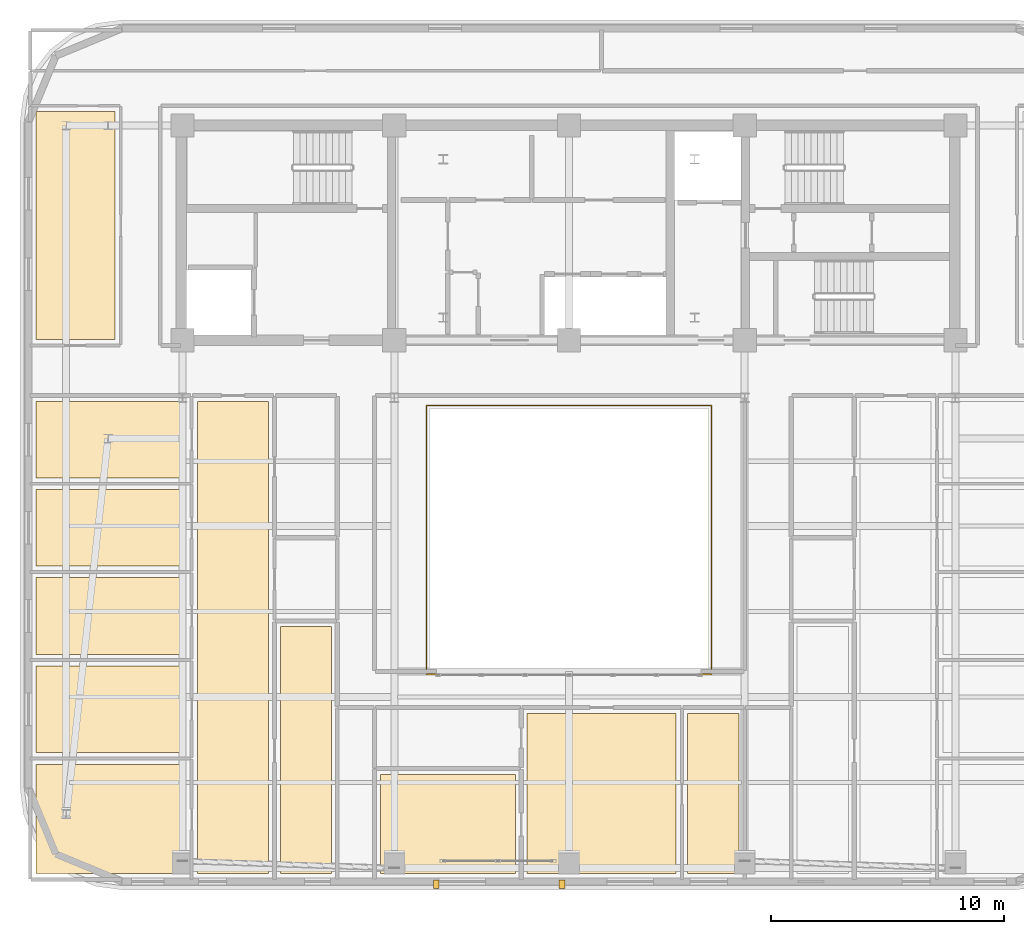
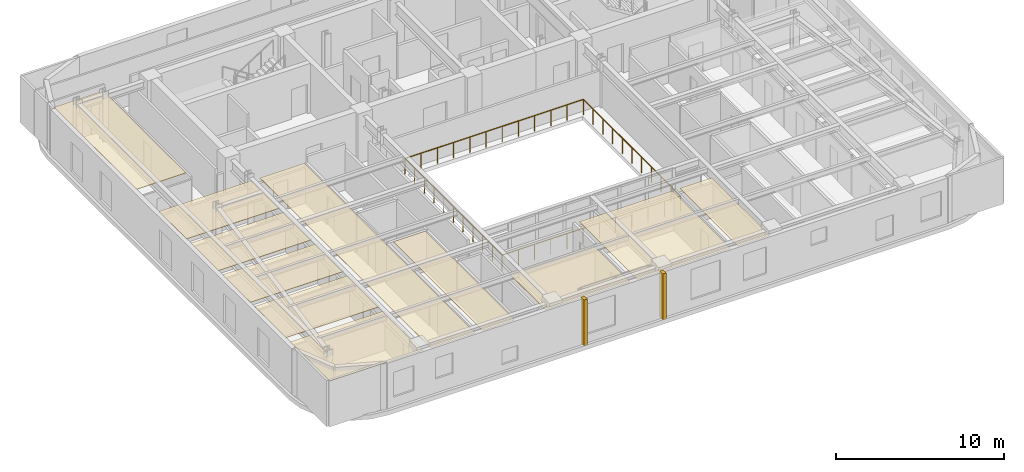
# One storey, part 11 of 14: 13 coverings, 1 railing.
"""IFC4 building model written with IfcOpenShell, lengths in metres."""

from ifc_helpers import new_model, si_unit, direction, frame, origin, origin_2d, place, context, subcontext, project, spatial, polyline, rectangle, outline, extrude, material, layer, layer_set, type_object, element, save


model = new_model("IFC4")

# Units and contexts
model_context = context("Model", 3, precision=1e-05, world=origin(), true_north=direction((0.0, 1.0)))
body_context = subcontext(model_context, "Body", "Model", "MODEL_VIEW")
ifc_project = project(units=[si_unit("LENGTHUNIT", "METRE"), si_unit("AREAUNIT", "SQUARE_METRE"), si_unit("VOLUMEUNIT", "CUBIC_METRE"), si_unit("PLANEANGLEUNIT", "RADIAN"), si_unit("MASSUNIT", "GRAM", prefix="KILO")], contexts=[model_context])

# Site, building, storey
site_placement = place(None, origin())
site = spatial("IfcSite", under=ifc_project, at=site_placement, CompositionType="ELEMENT")
building_placement = place(site_placement, origin())
building = spatial("IfcBuilding", under=site, at=building_placement, Name="Zarnavel Station Tower", CompositionType="ELEMENT")
storey_placement = place(building_placement, frame((0.0, 0.0, 229.199951171875)))
storey = spatial("IfcBuildingStorey", under=building, at=storey_placement, Name="L62", CompositionType="ELEMENT", Elevation=229.199951171875)

# Coverings
ifc_material_1 = material(Name="Perforated Gypsum and Mineral-Wool Acoustic Ceiling", Category="concrete")
ifc_layer = layer(ifc_material_1, 0.0400390625)
ifc_layer_set = layer_set([ifc_layer], Name="COV_CEIL_ACOUSTIC")
covering_type_1 = type_object("IfcCoveringType", Name="COV_CEIL_ACOUSTIC", PredefinedType="CEILING", material=ifc_layer_set)
covering_1_placement = place(storey_placement, frame((0.0, 0.0, 3.02001953125)))
element("IfcCovering", 1, at=covering_1_placement, inside=storey, type_object=covering_type_1, Name="L62 FNW Acoustic Ceiling", PredefinedType="CEILING", context=body_context, shape_type="SweptSolid", body=[
    extrude(outline(polyline([(5.909912109375, 27.85009765625), (9.300048828125, 27.85009765625), (9.300048828125, 37.64990234375), (5.909912109375, 37.64990234375), (5.909912109375, 27.85009765625)])), origin(), (0.0, 0.0, 1.0), 0.0400390625),
])
covering_2_placement = place(storey_placement, frame((0.0, 0.0, 3.02001953125)))
element("IfcCovering", 2, at=covering_2_placement, inside=storey, type_object=covering_type_1, Name="L62 UW1LV Acoustic Ceiling", PredefinedType="CEILING", context=body_context, shape_type="SweptSolid", body=[
    extrude(outline(polyline([(12.841064453125, 4.909912109375), (15.89990234375, 4.909912109375), (15.89990234375, 25.199951171875), (12.841064453125, 25.199951171875), (12.841064453125, 4.909912109375)])), origin(), (0.0, 0.0, 1.0), 0.0400390625),
])
covering_3_placement = place(storey_placement, frame((0.0, 0.0, 3.02001953125)))
element("IfcCovering", 3, at=covering_3_placement, inside=storey, type_object=covering_type_1, Name="L62 UW1KT Acoustic Ceiling", PredefinedType="CEILING", context=body_context, shape_type="SweptSolid", body=[
    extrude(outline(polyline([(16.39990234375, 4.909912109375), (18.60009765625, 4.909912109375), (18.60009765625, 15.52099609375), (16.39990234375, 15.52099609375), (16.39990234375, 4.909912109375)])), origin(), (0.0, 0.0, 1.0), 0.0400390625),
])
covering_4_placement = place(storey_placement, frame((0.0, 0.0, 3.02001953125)))
element("IfcCovering", 4, at=covering_4_placement, inside=storey, type_object=covering_type_1, Name="L62 UW1B1 Acoustic Ceiling", PredefinedType="CEILING", context=body_context, shape_type="SweptSolid", body=[
    extrude(outline(polyline([(5.909912109375, 4.909912109375), (12.341064453125, 4.909912109375), (12.341064453125, 9.60693359375), (5.909912109375, 9.60693359375), (5.909912109375, 4.909912109375)])), origin(), (0.0, 0.0, 1.0), 0.0400390625),
])
covering_5_placement = place(storey_placement, frame((0.0, 0.0, 3.02001953125)))
element("IfcCovering", 5, at=covering_5_placement, inside=storey, type_object=covering_type_1, Name="L62 UW1B2 Acoustic Ceiling", PredefinedType="CEILING", context=body_context, shape_type="SweptSolid", body=[
    extrude(outline(polyline([(5.909912109375, 10.10693359375), (12.341064453125, 10.10693359375), (12.341064453125, 13.8349609375), (5.909912109375, 13.8349609375), (5.909912109375, 10.10693359375)])), origin(), (0.0, 0.0, 1.0), 0.0400390625),
])
covering_6_placement = place(storey_placement, frame((0.0, 0.0, 3.02001953125)))
element("IfcCovering", 6, at=covering_6_placement, inside=storey, type_object=covering_type_1, Name="L62 UW1B3 Acoustic Ceiling", PredefinedType="CEILING", context=body_context, shape_type="SweptSolid", body=[
    extrude(outline(polyline([(5.909912109375, 14.3349609375), (12.341064453125, 14.3349609375), (12.341064453125, 17.623046875), (5.909912109375, 17.623046875), (5.909912109375, 14.3349609375)])), origin(), (0.0, 0.0, 1.0), 0.0400390625),
])
covering_7_placement = place(storey_placement, frame((0.0, 0.0, 3.02001953125)))
element("IfcCovering", 7, at=covering_7_placement, inside=storey, type_object=covering_type_1, Name="L62 UW1B4 Acoustic Ceiling", PredefinedType="CEILING", context=body_context, shape_type="SweptSolid", body=[
    extrude(outline(polyline([(5.909912109375, 18.123046875), (12.341064453125, 18.123046875), (12.341064453125, 21.410888671875), (5.909912109375, 21.410888671875), (5.909912109375, 18.123046875)])), origin(), (0.0, 0.0, 1.0), 0.0400390625),
])
covering_8_placement = place(storey_placement, frame((0.0, 0.0, 3.02001953125)))
element("IfcCovering", 8, at=covering_8_placement, inside=storey, type_object=covering_type_1, Name="L62 UW1B5 Acoustic Ceiling", PredefinedType="CEILING", context=body_context, shape_type="SweptSolid", body=[
    extrude(outline(polyline([(5.909912109375, 21.910888671875), (12.341064453125, 21.910888671875), (12.341064453125, 25.199951171875), (5.909912109375, 25.199951171875), (5.909912109375, 21.910888671875)])), origin(), (0.0, 0.0, 1.0), 0.0400390625),
])
covering_9_placement = place(storey_placement, frame((0.0, 0.0, 3.02001953125)))
element("IfcCovering", 9, at=covering_9_placement, inside=storey, type_object=covering_type_1, Name="L62 US1LV Acoustic Ceiling", PredefinedType="CEILING", context=body_context, shape_type="SweptSolid", body=[
    extrude(outline(polyline([(27.0, 4.909912109375), (33.39990234375, 4.909912109375), (33.39990234375, 11.800048828125), (27.0, 11.800048828125), (27.0, 4.909912109375)])), origin(), (0.0, 0.0, 1.0), 0.0400390625),
])
covering_10_placement = place(storey_placement, frame((0.0, 0.0, 3.02001953125)))
element("IfcCovering", 10, at=covering_10_placement, inside=storey, type_object=covering_type_1, Name="L62 US1KT Acoustic Ceiling", PredefinedType="CEILING", context=body_context, shape_type="SweptSolid", body=[
    extrude(outline(polyline([(20.699951171875, 4.909912109375), (26.5, 4.909912109375), (26.5, 9.180908203125), (20.699951171875, 9.180908203125), (20.699951171875, 4.909912109375)])), origin(), (0.0, 0.0, 1.0), 0.0400390625),
])
covering_11_placement = place(storey_placement, frame((0.0, 0.0, 3.02001953125)))
element("IfcCovering", 11, at=covering_11_placement, inside=storey, type_object=covering_type_1, Name="L62 US1B1 Acoustic Ceiling", PredefinedType="CEILING", context=body_context, shape_type="SweptSolid", body=[
    extrude(outline(polyline([(33.89990234375, 4.909912109375), (36.10009765625, 4.909912109375), (36.10009765625, 11.800048828125), (33.89990234375, 11.800048828125), (33.89990234375, 4.909912109375)])), origin(), (0.0, 0.0, 1.0), 0.0400390625),
])
ifc_material_2 = material(Name="Precast concrete C45/55 (Pale Travertine Slab Band)", Category="masonry")
covering_type_2 = type_object("IfcCoveringType", Name="COV_TRAVERTINE_BAND", PredefinedType="CLADDING", material=ifc_material_2)
for number, where, z_axis, x_axis, name in (
    (12, (23.10009765625, 4.449951171875, 0.0), (0.0, 0.0, 1.0), (1.0, 0.0, 0.0), "L62 Travertine Portal Loggia Vertical Jog West"),
    (13, (28.5, 4.449951171875, 0.0), (0.0, 0.0, 1.0), (1.0, 0.0, 0.0), "L62 Travertine Portal Loggia Vertical Jog East"),
):
    element("IfcCovering", number, at=place(storey_placement, frame(where, z_axis=z_axis, x_axis=x_axis)), inside=storey, type_object=covering_type_2, Name=name, PredefinedType="CLADDING", context=body_context, shape_type="SweptSolid", body=[
        extrude(rectangle(XDim=0.239990234375, YDim=0.360107421875, at=origin_2d()), origin(), (0.0, 0.0, 1.0), 3.340087890625),
    ])

# Railing
ifc_material_3 = material(Name="Painted Steel S355J2 Balustrade", Category="steel")
railing_type = type_object("IfcRailingType", Name="GR_INT_1150", PredefinedType="GUARDRAIL", material=ifc_material_3)
railing_placement = place(storey_placement, frame((22.679931640625, 13.47998046875, 0.0)))
element("IfcRailing", 14, at=railing_placement, inside=storey, type_object=railing_type, Name="L62 Atrium Void Guardrail", PredefinedType="GUARDRAIL", context=body_context, shape_type="SweptSolid", body=[
    extrude(rectangle(XDim=0.048095703125, YDim=0.048095703125, at=origin_2d()), frame((0.001953125, 0.0, 1.1259765625), z_axis=(1.0, 0.0, 0.0), x_axis=(0.0, 1.0, 0.0)), (0.0, 0.0, 1.0), 12.236083984375),
    extrude(rectangle(XDim=0.048095703125, YDim=0.048095703125, at=origin_2d()), frame((12.239990234375, 0.001953125, 1.1259765625), z_axis=(0.0, 1.0, 0.0), x_axis=(-1.0, 0.0, 0.0)), (0.0, 0.0, 1.0), 11.5361328125),
    extrude(rectangle(XDim=0.048095703125, YDim=0.048095703125, at=origin_2d()), frame((12.238037109375, 11.5400390625, 1.1259765625), z_axis=(-1.0, 0.0, 0.0), x_axis=(0.0, -1.0, 0.0)), (0.0, 0.0, 1.0), 12.236083984375),
    extrude(rectangle(XDim=0.048095703125, YDim=0.048095703125, at=origin_2d()), frame((0.0, 11.5380859375, 1.1259765625), z_axis=(0.0, -1.0, 0.0), x_axis=(1.0, 0.0, 0.0)), (0.0, 0.0, 1.0), 11.5361328125),
    extrude(rectangle(XDim=0.0419921875, YDim=0.0419921875, at=origin_2d()), origin(), (0.0, 0.0, 1.0), 1.101806640625),
    extrude(rectangle(XDim=0.0419921875, YDim=0.0419921875, at=origin_2d()), frame((1.11279296875, 0.0, 0.0)), (0.0, 0.0, 1.0), 1.101806640625),
    extrude(rectangle(XDim=0.0419921875, YDim=0.0419921875, at=origin_2d()), frame((2.225341796875, 0.0, 0.0)), (0.0, 0.0, 1.0), 1.101806640625),
    extrude(rectangle(XDim=0.0419921875, YDim=0.0419921875, at=origin_2d()), frame((3.338134765625, 0.0, 0.0)), (0.0, 0.0, 1.0), 1.101806640625),
    extrude(rectangle(XDim=0.0419921875, YDim=0.0419921875, at=origin_2d()), frame((4.450927734375, 0.0, 0.0)), (0.0, 0.0, 1.0), 1.101806640625),
    extrude(rectangle(XDim=0.0419921875, YDim=0.0419921875, at=origin_2d()), frame((5.563720703125, 0.0, 0.0)), (0.0, 0.0, 1.0), 1.101806640625),
    extrude(rectangle(XDim=0.0419921875, YDim=0.0419921875, at=origin_2d()), frame((6.67626953125, 0.0, 0.0)), (0.0, 0.0, 1.0), 1.101806640625),
    extrude(rectangle(XDim=0.0419921875, YDim=0.0419921875, at=origin_2d()), frame((7.7890625, 0.0, 0.0)), (0.0, 0.0, 1.0), 1.101806640625),
    extrude(rectangle(XDim=0.0419921875, YDim=0.0419921875, at=origin_2d()), frame((8.90185546875, 0.0, 0.0)), (0.0, 0.0, 1.0), 1.101806640625),
    extrude(rectangle(XDim=0.0419921875, YDim=0.0419921875, at=origin_2d()), frame((10.0146484375, 0.0, 0.0)), (0.0, 0.0, 1.0), 1.101806640625),
    extrude(rectangle(XDim=0.0419921875, YDim=0.0419921875, at=origin_2d()), frame((11.127197265625, 0.0, 0.0)), (0.0, 0.0, 1.0), 1.101806640625),
    extrude(rectangle(XDim=0.0419921875, YDim=0.0419921875, at=origin_2d()), frame((12.239990234375, 0.0, 0.0)), (0.0, 0.0, 1.0), 1.101806640625),
    extrude(rectangle(XDim=0.0419921875, YDim=0.0419921875, at=origin_2d()), frame((12.239990234375, 1.154052734375, 0.0)), (0.0, 0.0, 1.0), 1.101806640625),
    extrude(rectangle(XDim=0.0419921875, YDim=0.0419921875, at=origin_2d()), frame((12.239990234375, 2.30810546875, 0.0)), (0.0, 0.0, 1.0), 1.101806640625),
    extrude(rectangle(XDim=0.0419921875, YDim=0.0419921875, at=origin_2d()), frame((12.239990234375, 3.4619140625, 0.0)), (0.0, 0.0, 1.0), 1.101806640625),
    extrude(rectangle(XDim=0.0419921875, YDim=0.0419921875, at=origin_2d()), frame((12.239990234375, 4.615966796875, 0.0)), (0.0, 0.0, 1.0), 1.101806640625),
    extrude(rectangle(XDim=0.0419921875, YDim=0.0419921875, at=origin_2d()), frame((12.239990234375, 5.77001953125, 0.0)), (0.0, 0.0, 1.0), 1.101806640625),
    extrude(rectangle(XDim=0.0419921875, YDim=0.0419921875, at=origin_2d()), frame((12.239990234375, 6.924072265625, 0.0)), (0.0, 0.0, 1.0), 1.101806640625),
    extrude(rectangle(XDim=0.0419921875, YDim=0.0419921875, at=origin_2d()), frame((12.239990234375, 8.078125, 0.0)), (0.0, 0.0, 1.0), 1.101806640625),
    extrude(rectangle(XDim=0.0419921875, YDim=0.0419921875, at=origin_2d()), frame((12.239990234375, 9.23193359375, 0.0)), (0.0, 0.0, 1.0), 1.101806640625),
    extrude(rectangle(XDim=0.0419921875, YDim=0.0419921875, at=origin_2d()), frame((12.239990234375, 10.385986328125, 0.0)), (0.0, 0.0, 1.0), 1.101806640625),
    extrude(rectangle(XDim=0.0419921875, YDim=0.0419921875, at=origin_2d()), frame((12.239990234375, 11.5400390625, 0.0)), (0.0, 0.0, 1.0), 1.101806640625),
    extrude(rectangle(XDim=0.0419921875, YDim=0.0419921875, at=origin_2d()), frame((11.127197265625, 11.5400390625, 0.0)), (0.0, 0.0, 1.0), 1.101806640625),
    extrude(rectangle(XDim=0.0419921875, YDim=0.0419921875, at=origin_2d()), frame((10.0146484375, 11.5400390625, 0.0)), (0.0, 0.0, 1.0), 1.101806640625),
    extrude(rectangle(XDim=0.0419921875, YDim=0.0419921875, at=origin_2d()), frame((8.90185546875, 11.5400390625, 0.0)), (0.0, 0.0, 1.0), 1.101806640625),
    extrude(rectangle(XDim=0.0419921875, YDim=0.0419921875, at=origin_2d()), frame((7.7890625, 11.5400390625, 0.0)), (0.0, 0.0, 1.0), 1.101806640625),
    extrude(rectangle(XDim=0.0419921875, YDim=0.0419921875, at=origin_2d()), frame((6.67626953125, 11.5400390625, 0.0)), (0.0, 0.0, 1.0), 1.101806640625),
    extrude(rectangle(XDim=0.0419921875, YDim=0.0419921875, at=origin_2d()), frame((5.563720703125, 11.5400390625, 0.0)), (0.0, 0.0, 1.0), 1.101806640625),
    extrude(rectangle(XDim=0.0419921875, YDim=0.0419921875, at=origin_2d()), frame((4.450927734375, 11.5400390625, 0.0)), (0.0, 0.0, 1.0), 1.101806640625),
    extrude(rectangle(XDim=0.0419921875, YDim=0.0419921875, at=origin_2d()), frame((3.338134765625, 11.5400390625, 0.0)), (0.0, 0.0, 1.0), 1.101806640625),
    extrude(rectangle(XDim=0.0419921875, YDim=0.0419921875, at=origin_2d()), frame((2.225341796875, 11.5400390625, 0.0)), (0.0, 0.0, 1.0), 1.101806640625),
    extrude(rectangle(XDim=0.0419921875, YDim=0.0419921875, at=origin_2d()), frame((1.11279296875, 11.5400390625, 0.0)), (0.0, 0.0, 1.0), 1.101806640625),
    extrude(rectangle(XDim=0.0419921875, YDim=0.0419921875, at=origin_2d()), frame((0.0, 11.5400390625, 0.0)), (0.0, 0.0, 1.0), 1.101806640625),
    extrude(rectangle(XDim=0.0419921875, YDim=0.0419921875, at=origin_2d()), frame((0.0, 10.385986328125, 0.0)), (0.0, 0.0, 1.0), 1.101806640625),
    extrude(rectangle(XDim=0.0419921875, YDim=0.0419921875, at=origin_2d()), frame((0.0, 9.23193359375, 0.0)), (0.0, 0.0, 1.0), 1.101806640625),
    extrude(rectangle(XDim=0.0419921875, YDim=0.0419921875, at=origin_2d()), frame((0.0, 8.078125, 0.0)), (0.0, 0.0, 1.0), 1.101806640625),
    extrude(rectangle(XDim=0.0419921875, YDim=0.0419921875, at=origin_2d()), frame((0.0, 6.924072265625, 0.0)), (0.0, 0.0, 1.0), 1.101806640625),
    extrude(rectangle(XDim=0.0419921875, YDim=0.0419921875, at=origin_2d()), frame((0.0, 5.77001953125, 0.0)), (0.0, 0.0, 1.0), 1.101806640625),
    extrude(rectangle(XDim=0.0419921875, YDim=0.0419921875, at=origin_2d()), frame((0.0, 4.615966796875, 0.0)), (0.0, 0.0, 1.0), 1.101806640625),
    extrude(rectangle(XDim=0.0419921875, YDim=0.0419921875, at=origin_2d()), frame((0.0, 3.4619140625, 0.0)), (0.0, 0.0, 1.0), 1.101806640625),
    extrude(rectangle(XDim=0.0419921875, YDim=0.0419921875, at=origin_2d()), frame((0.0, 2.30810546875, 0.0)), (0.0, 0.0, 1.0), 1.101806640625),
    extrude(rectangle(XDim=0.0419921875, YDim=0.0419921875, at=origin_2d()), frame((0.0, 1.154052734375, 0.0)), (0.0, 0.0, 1.0), 1.101806640625),
])

save(model, "model.ifc")
